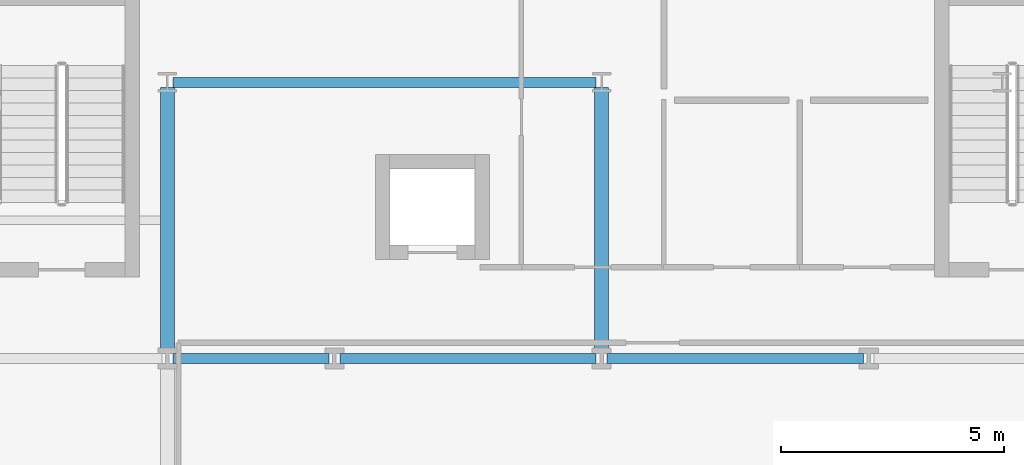
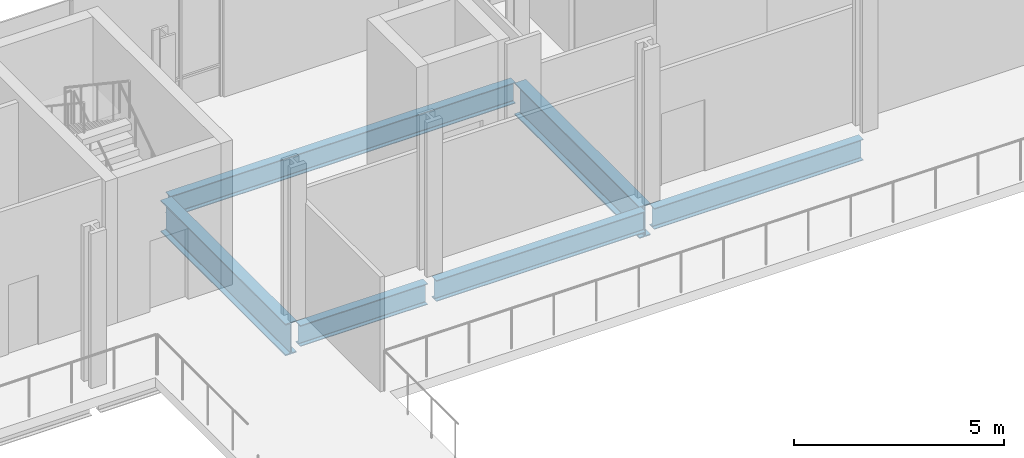
# One storey, part 9 of 25: 6 beams.
"""IFC4 building model written with IfcOpenShell, lengths in metres."""

from ifc_helpers import new_model, si_unit, direction, frame, origin, origin_2d, place, context, subcontext, project, spatial, i_section, extrude, material, material_profile, profile_set, type_object, element, save


model = new_model("IFC4")

# Units and contexts
model_context = context("Model", 3, precision=1e-05, world=origin(), true_north=direction((0.0, 1.0)))
body_context = subcontext(model_context, "Body", "Model", "MODEL_VIEW")
ifc_project = project(units=[si_unit("LENGTHUNIT", "METRE"), si_unit("AREAUNIT", "SQUARE_METRE"), si_unit("VOLUMEUNIT", "CUBIC_METRE"), si_unit("PLANEANGLEUNIT", "RADIAN"), si_unit("MASSUNIT", "GRAM", prefix="KILO")], contexts=[model_context])

# Site, building, storey
site_placement = place(None, origin())
site = spatial("IfcSite", under=ifc_project, at=site_placement, CompositionType="ELEMENT")
building_placement = place(site_placement, origin())
building = spatial("IfcBuilding", under=site, at=building_placement, Name="Brevholm Reach", CompositionType="ELEMENT")
storey_placement = place(building_placement, frame((0.0, 0.0, 9.0)))
storey = spatial("IfcBuildingStorey", under=building, at=storey_placement, Name="L02", CompositionType="ELEMENT", Elevation=9.0)

# Beams
ifc_material_1 = material(Name="Structural Steel S355J2", Category="steel")
ifc_material_profile_1 = material_profile(ifc_material_1, i_section(OverallWidth=0.22900390625, OverallDepth=0.6123046875, WebThickness=0.011962890625, FlangeThickness=0.01953125, FilletRadius=0.0126953125, at=origin_2d()), Name="UKB 610x229x125")
ifc_profile_set_1 = profile_set([ifc_material_profile_1], Name="Structural Steel S355J2")
beam_type_1 = type_object("IfcBeamType", Name="BM-SP610", PredefinedType="SPANDREL", material=ifc_profile_set_1)
beam_1_placement = place(storey_placement, frame((38.3701171875, 31.0, -0.586181640625), z_axis=(1.0, 0.0, 0.0), x_axis=(0.0, 1.0, 0.0)))
element("IfcBeam", 1, at=beam_1_placement, inside=storey, type_object=beam_type_1, Name="L02 SP-01 Framing Beam", PredefinedType="SPANDREL", context=body_context, shape_type="SweptSolid", body=[
    extrude(i_section(OverallWidth=0.22900390625, OverallDepth=0.6123046875, WebThickness=0.011962890625, FlangeThickness=0.01953125, FilletRadius=0.0126953125, at=origin_2d()), origin(), (0.0, 0.0, 1.0), 3.509765625),
])
for number, where, z_axis, x_axis, name in (
    (2, (42.1201171875, 31.0, -0.586181640625), (1.0, 0.0, 0.0), (0.0, 1.0, 0.0), "L02 SP-01 Framing Beam"),
    (3, (48.1201171875, 31.0, -0.586181640625), (1.0, 0.0, 0.0), (0.0, 1.0, 0.0), "L02 SP-01 Framing Beam"),
):
    element("IfcBeam", number, at=place(storey_placement, frame(where, z_axis=z_axis, x_axis=x_axis)), inside=storey, type_object=beam_type_1, Name=name, PredefinedType="SPANDREL", context=body_context, shape_type="SweptSolid", body=[
        extrude(i_section(OverallWidth=0.22900390625, OverallDepth=0.6123046875, WebThickness=0.011962890625, FlangeThickness=0.01953125, FilletRadius=0.0126953125, at=origin_2d()), origin(), (0.0, 0.0, 1.0), 5.759765625),
    ])
beam_2_placement = place(storey_placement, frame((38.3701171875, 37.199951171875, -0.586181640625), z_axis=(1.0, 0.0, 0.0), x_axis=(0.0, 1.0, 0.0)))
element("IfcBeam", 4, at=beam_2_placement, inside=storey, type_object=beam_type_1, Name="L02 SP-01 Framing Beam", PredefinedType="SPANDREL", context=body_context, shape_type="SweptSolid", body=[
    extrude(i_section(OverallWidth=0.22900390625, OverallDepth=0.6123046875, WebThickness=0.011962890625, FlangeThickness=0.01953125, FilletRadius=0.0126953125, at=origin_2d()), origin(), (0.0, 0.0, 1.0), 9.509765625),
])
ifc_material_2 = material(Name="Structural Steel S460ML", Category="steel")
ifc_material_profile_2 = material_profile(ifc_material_2, i_section(OverallWidth=0.3076171875, OverallDepth=0.926513671875, WebThickness=0.01953125, FlangeThickness=0.031982421875, FilletRadius=0.01904296875, at=origin_2d()), Name="UKB 914x305x289")
ifc_profile_set_2 = profile_set([ifc_material_profile_2], Name="Structural Steel S460ML")
beam_type_2 = type_object("IfcBeamType", Name="BM-UKB914B", PredefinedType="USERDEFINED", material=ifc_profile_set_2)
for number, where, z_axis, x_axis, name in (
    (5, (38.25, 31.1201171875, -0.743408203125), (0.0, 1.0, 0.0), (-1.0, 0.0, 0.0), "L02 G-02B Framing Beam"),
    (6, (48.0, 31.1201171875, -0.743408203125), (0.0, 1.0, 0.0), (-1.0, 0.0, 0.0), "L02 G-02B Framing Beam"),
):
    element("IfcBeam", number, at=place(storey_placement, frame(where, z_axis=z_axis, x_axis=x_axis)), inside=storey, type_object=beam_type_2, Name=name, ObjectType="GIRDER", PredefinedType="USERDEFINED", context=body_context, shape_type="SweptSolid", body=[
        extrude(i_section(OverallWidth=0.3076171875, OverallDepth=0.926513671875, WebThickness=0.01953125, FlangeThickness=0.031982421875, FilletRadius=0.01904296875, at=origin_2d()), origin(), (0.0, 0.0, 1.0), 5.9599609375),
    ])

save(model, "model.ifc")
